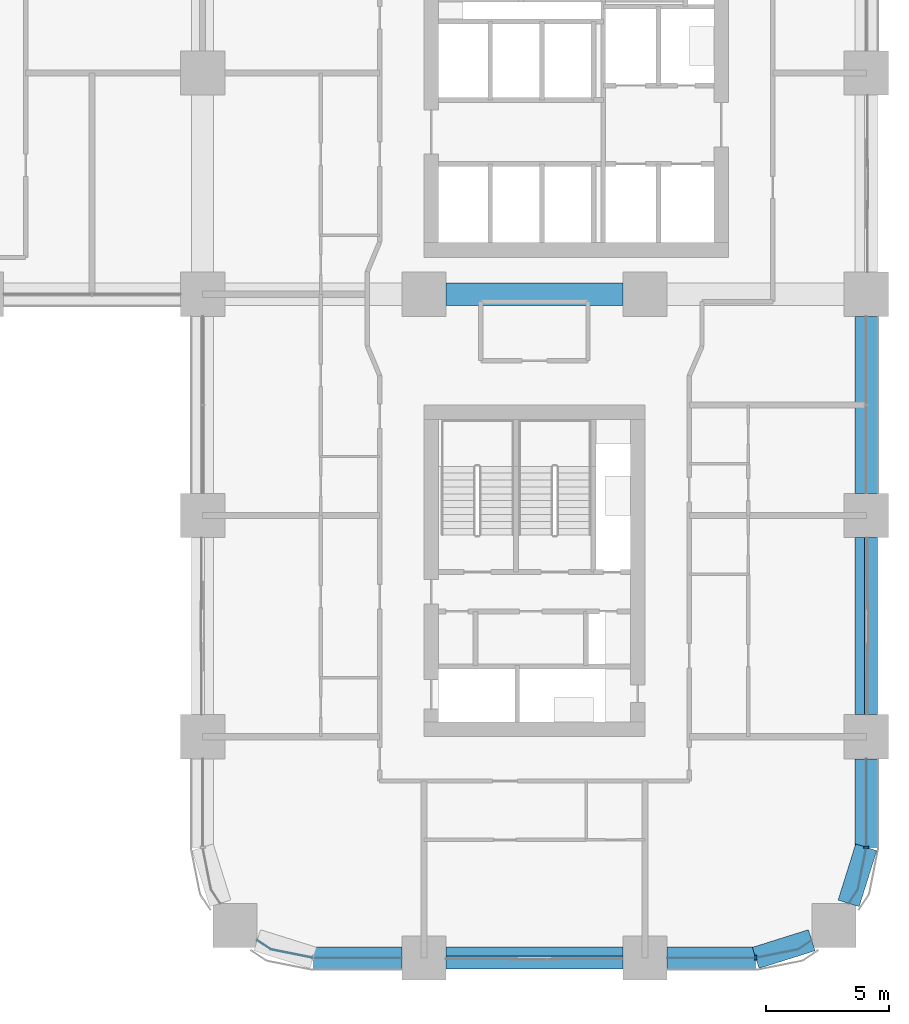
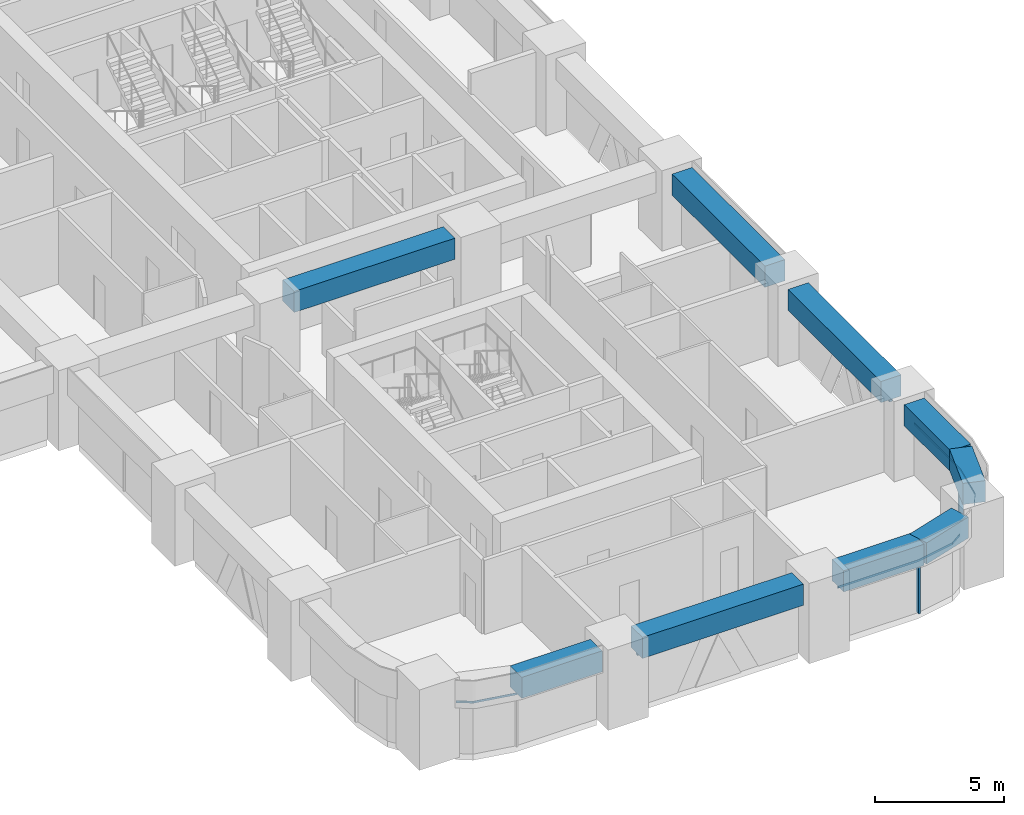
# One storey, part 4 of 26: 9 beams, 7 members, 5 elements without a shape of their own.
"""IFC4 building model written with IfcOpenShell, lengths in metres."""

from ifc_helpers import new_model, si_unit, direction, frame, origin, origin_2d, place, context, subcontext, project, spatial, polyline, rectangle, outline, extrude, material, material_profile, profile_set, type_object, element, aggregate, save


model = new_model("IFC4")

# Units and contexts
model_context = context("Model", 3, precision=1e-05, world=origin(), true_north=direction((0.0, 1.0)))
body_context = subcontext(model_context, "Body", "Model", "MODEL_VIEW")
ifc_project = project(units=[si_unit("LENGTHUNIT", "METRE"), si_unit("AREAUNIT", "SQUARE_METRE"), si_unit("VOLUMEUNIT", "CUBIC_METRE"), si_unit("PLANEANGLEUNIT", "RADIAN"), si_unit("MASSUNIT", "GRAM", prefix="KILO")], contexts=[model_context])

# Site, building, storey
site_placement = place(None, origin())
site = spatial("IfcSite", under=ifc_project, at=site_placement, CompositionType="ELEMENT")
building_placement = place(site_placement, origin())
building = spatial("IfcBuilding", under=site, at=building_placement, Name="Tessera Arch", CompositionType="ELEMENT")
storey_placement = place(building_placement, frame((0.0, 0.0, 96.800048828125)))
storey = spatial("IfcBuildingStorey", under=building, at=storey_placement, Name="L22", CompositionType="ELEMENT", Elevation=96.800048828125)

# Curtain wall, member
ifc_material_1 = material(Name="CW2 curtain wall")
curtain_wall_type_1 = type_object("IfcCurtainWallType", Name="CW2 curtain wall", PredefinedType="NOTDEFINED", material=ifc_material_1)
curtain_wall_1_placement = place(storey_placement, origin())
curtain_wall_1 = element("IfcCurtainWall", 1, at=curtain_wall_1_placement, inside=storey, type_object=curtain_wall_type_1, Name="CW2 curtain wall S0.27/2 L22", PredefinedType="NOTDEFINED")
ifc_material_2 = material(Name="Anodised aluminium pale metal", Category="aluminium")
ifc_material_profile_1 = material_profile(ifc_material_2, rectangle(XDim=0.199951171875, YDim=0.080078125, at=origin_2d()), Name="AL 80x200")
ifc_profile_set_1 = profile_set([ifc_material_profile_1], Name="Anodised aluminium pale metal")
member_type_1 = type_object("IfcMemberType", Name="CW2 mullion", PredefinedType="MULLION", material=ifc_profile_set_1)
member_1_placement = place(storey_placement, frame((49.5, 0.0, 0.0), z_axis=(0.0, 0.0, 1.0), x_axis=(0.0, 1.0, 0.0)))
member_1 = element("IfcMember", 2, at=member_1_placement, type_object=member_type_1, Name="CW2 mullion S0.27/2 1", PredefinedType="MULLION", context=body_context, shape_type="SweptSolid", body=[
    extrude(rectangle(XDim=0.199951171875, YDim=0.080078125, at=origin_2d()), origin(), (0.0, 0.0, 1.0), 2.39990234375),
])

curtain_wall_2_placement = place(storey_placement, origin())
curtain_wall_2 = element("IfcCurtainWall", 3, at=curtain_wall_2_placement, inside=storey, type_object=curtain_wall_type_1, Name="CW2 curtain wall E54.0/0 L22", PredefinedType="NOTDEFINED")
member_2_placement = place(storey_placement, frame((54.0, 4.5, 0.0), z_axis=(0.0, 0.0, 1.0), x_axis=(-1.0, 0.0, 0.0)))
member_2 = element("IfcMember", 4, at=member_2_placement, type_object=member_type_1, Name="CW2 mullion E54.0/0 1", PredefinedType="MULLION", context=body_context, shape_type="SweptSolid", body=[
    extrude(rectangle(XDim=0.199951171875, YDim=0.080078125, at=origin_2d()), origin(), (0.0, 0.0, 1.0), 2.39990234375),
])

curtain_wall_3_placement = place(storey_placement, origin())
curtain_wall_3 = element("IfcCurtainWall", 5, at=curtain_wall_3_placement, inside=storey, type_object=curtain_wall_type_1, Name="CW2 curtain wall S0.27/0 L22", PredefinedType="NOTDEFINED")
ifc_material_3 = material(Name="Anodised aluminium pale metal", Category="aluminium")
ifc_material_profile_2 = material_profile(ifc_material_3, rectangle(XDim=0.199951171875, YDim=0.10009765625, at=origin_2d()), Name="AL 200x100")
ifc_profile_set_2 = profile_set([ifc_material_profile_2], Name="Anodised aluminium pale metal")
member_type_2 = type_object("IfcMemberType", Name="CW2 transom", PredefinedType="USERDEFINED", material=ifc_profile_set_2)
member_3_placement = place(storey_placement, frame((0.0, 0.0, 2.39990234375)))
member_3 = element("IfcMember", 6, at=member_3_placement, type_object=member_type_2, Name="CW2 transom S0.27/0 1", ObjectType="TRANSOM", PredefinedType="USERDEFINED", context=body_context, shape_type="SweptSolid", body=[
    extrude(outline(polyline([(29.78173828125, 0.351806640625), (29.2236328125, 0.72509765625), (29.21240234375, 0.70849609375), (29.77392578125, 0.3330078125), (31.4990234375, -0.010009765625), (35.10009765625, -0.010009765625), (35.10009765625, 0.010009765625), (31.5009765625, 0.010009765625), (29.78173828125, 0.351806640625)])), origin(), (0.0, 0.0, 1.0), 0.10009765625),
])
aggregate(curtain_wall_3, [member_3])

# Member
member_4_placement = place(storey_placement, frame((0.0, 0.0, 2.39990234375)))
member_4 = element("IfcMember", 7, at=member_4_placement, type_object=member_type_2, Name="CW2 transom S0.27/2 1", ObjectType="TRANSOM", PredefinedType="USERDEFINED", context=body_context, shape_type="SweptSolid", body=[
    extrude(outline(polyline([(49.4990234375, 0.010009765625), (45.89990234375, 0.010009765625), (45.89990234375, -0.010009765625), (49.5009765625, -0.010009765625), (51.22607421875, 0.3330078125), (51.78759765625, 0.70849609375), (51.7763671875, 0.72509765625), (51.21826171875, 0.351806640625), (49.4990234375, 0.010009765625)])), origin(), (0.0, 0.0, 1.0), 0.10009765625),
])

aggregate(curtain_wall_1, [member_1, member_4])

member_5_placement = place(storey_placement, frame((0.0, 0.0, 2.39990234375)))
member_5 = element("IfcMember", 8, at=member_5_placement, type_object=member_type_2, Name="CW2 transom E54.0/0 1", ObjectType="TRANSOM", PredefinedType="USERDEFINED", context=body_context, shape_type="SweptSolid", body=[
    extrude(outline(polyline([(53.648193359375, 2.78173828125), (53.27490234375, 2.2236328125), (53.29150390625, 2.21240234375), (53.6669921875, 2.77392578125), (54.010009765625, 4.4990234375), (54.010009765625, 8.10009765625), (53.989990234375, 8.10009765625), (53.989990234375, 4.5009765625), (53.648193359375, 2.78173828125)])), origin(), (0.0, 0.0, 1.0), 0.10009765625),
])

aggregate(curtain_wall_2, [member_2, member_5])

# Curtain wall, member
ifc_material_4 = material(Name="CW3 curtain wall")
curtain_wall_type_2 = type_object("IfcCurtainWallType", Name="CW3 curtain wall", PredefinedType="NOTDEFINED", material=ifc_material_4)
curtain_wall_4_placement = place(storey_placement, origin())
curtain_wall_4 = element("IfcCurtainWall", 9, at=curtain_wall_4_placement, inside=storey, type_object=curtain_wall_type_2, Name="CW3 curtain wall S0.27/1 L22", PredefinedType="NOTDEFINED")
ifc_material_5 = material(Name="Anodised aluminium pale metal", Category="aluminium")
ifc_material_profile_3 = material_profile(ifc_material_5, rectangle(XDim=0.139892578125, YDim=0.10009765625, at=origin_2d()), Name="AL 140x100")
ifc_profile_set_3 = profile_set([ifc_material_profile_3], Name="Anodised aluminium pale metal")
member_type_3 = type_object("IfcMemberType", Name="CW3 transom", PredefinedType="USERDEFINED", material=ifc_profile_set_3)
member_6_placement = place(storey_placement, frame((36.89990234375, 0.0, 2.449951171875), z_axis=(1.0, 0.0, 0.0), x_axis=(0.0, 1.0, 0.0)))
member_6 = element("IfcMember", 10, at=member_6_placement, type_object=member_type_3, Name="CW3 transom S0.27/1 1.1", ObjectType="TRANSOM", PredefinedType="USERDEFINED", context=body_context, shape_type="SweptSolid", body=[
    extrude(rectangle(XDim=0.139892578125, YDim=0.10009765625, at=origin_2d()), origin(), (0.0, 0.0, 1.0), 7.2001953125),
])
aggregate(curtain_wall_4, [member_6])

curtain_wall_5_placement = place(storey_placement, origin())
curtain_wall_5 = element("IfcCurtainWall", 11, at=curtain_wall_5_placement, inside=storey, type_object=curtain_wall_type_2, Name="CW3 curtain wall E54.0/1 L22", PredefinedType="NOTDEFINED")
member_7_placement = place(storey_placement, frame((54.0, 9.89990234375, 2.449951171875), z_axis=(0.0, 1.0, 0.0), x_axis=(-1.0, 0.0, 0.0)))
member_7 = element("IfcMember", 12, at=member_7_placement, type_object=member_type_3, Name="CW3 transom E54.0/1 1.1", ObjectType="TRANSOM", PredefinedType="USERDEFINED", context=body_context, shape_type="SweptSolid", body=[
    extrude(rectangle(XDim=0.139892578125, YDim=0.10009765625, at=origin_2d()), origin(), (0.0, 0.0, 1.0), 7.2001953125),
])
aggregate(curtain_wall_5, [member_7])

# Beams
ifc_material_6 = material(Name="Concrete C80/95", Category="concrete")
ifc_material_profile_4 = material_profile(ifc_material_6, rectangle(XDim=0.89990234375, YDim=1.0, at=origin_2d()), Name="RC spandrel beam 900 x 1000 Concrete C80/95")
ifc_profile_set_4 = profile_set([ifc_material_profile_4], Name="Concrete C80/95")
beam_type = type_object("IfcBeamType", Name="RC spandrel beam 900 x 1000 Concrete C80/95", PredefinedType="BEAM", material=ifc_profile_set_4)
beam_1_placement = place(storey_placement, frame((31.5, 0.0, 3.0), z_axis=(1.0, 0.0, 0.0), x_axis=(0.0, 1.0, 0.0)))
element("IfcBeam", 13, at=beam_1_placement, inside=storey, type_object=beam_type, Name="Spandrel beam L22 S0.27/0.2", PredefinedType="BEAM", context=body_context, shape_type="SweptSolid", body=[
    extrude(rectangle(XDim=0.89990234375, YDim=1.0, at=origin_2d()), origin(), (0.0, 0.0, 1.0), 3.60009765625),
])
beam_2_placement = place(storey_placement, frame((36.89990234375, 0.0, 3.0), z_axis=(1.0, 0.0, 0.0), x_axis=(0.0, 1.0, 0.0)))
element("IfcBeam", 14, at=beam_2_placement, inside=storey, type_object=beam_type, Name="Spandrel beam L22 S0.27/1", PredefinedType="BEAM", context=body_context, shape_type="SweptSolid", body=[
    extrude(rectangle(XDim=0.89990234375, YDim=1.0, at=origin_2d()), origin(), (0.0, 0.0, 1.0), 7.2001953125),
])
beam_3_placement = place(storey_placement, frame((45.89990234375, 0.0, 3.0), z_axis=(1.0, 0.0, 0.0), x_axis=(0.0, 1.0, 0.0)))
element("IfcBeam", 15, at=beam_3_placement, inside=storey, type_object=beam_type, Name="Spandrel beam L22 S0.27/2.1", PredefinedType="BEAM", context=body_context, shape_type="SweptSolid", body=[
    extrude(rectangle(XDim=0.89990234375, YDim=1.0, at=origin_2d()), origin(), (0.0, 0.0, 1.0), 3.60009765625),
])
for number, where, z_axis, x_axis, name in (
    (16, (49.5, 0.0, 3.0), (0.954041251279, 0.299675309057, 0.0), (-0.299675309057, 0.954041251279, 0.0), "Spandrel beam L22 S0.27/2.2"),
    (17, (53.283203125, 2.218017578125, 3.0), (0.299675309057, 0.954041251279, 0.0), (-0.954041251279, 0.299675309057, 0.0), "Spandrel beam L22 E54.0/0.1"),
):
    element("IfcBeam", number, at=place(storey_placement, frame(where, z_axis=z_axis, x_axis=x_axis)), inside=storey, type_object=beam_type, Name=name, PredefinedType="BEAM", context=body_context, shape_type="SweptSolid", body=[
        extrude(rectangle(XDim=0.89990234375, YDim=1.0, at=origin_2d()), origin(), (0.0, 0.0, 1.0), 2.391845703125),
    ])
beam_4_placement = place(storey_placement, frame((54.0, 4.5, 3.0), z_axis=(0.0, 1.0, 0.0), x_axis=(-1.0, 0.0, 0.0)))
element("IfcBeam", 18, at=beam_4_placement, inside=storey, type_object=beam_type, Name="Spandrel beam L22 E54.0/0.2", PredefinedType="BEAM", context=body_context, shape_type="SweptSolid", body=[
    extrude(rectangle(XDim=0.89990234375, YDim=1.0, at=origin_2d()), origin(), (0.0, 0.0, 1.0), 3.60009765625),
])
for number, where, z_axis, x_axis, name in (
    (19, (54.0, 9.89990234375, 3.0), (0.0, 1.0, 0.0), (-1.0, 0.0, 0.0), "Spandrel beam L22 E54.0/1"),
    (20, (54.0, 18.89990234375, 3.0), (0.0, 1.0, 0.0), (-1.0, 0.0, 0.0), "Spandrel beam L22 E54.0/2"),
    (21, (36.89990234375, 27.0, 3.0), (1.0, 0.0, 0.0), (0.0, 1.0, 0.0), "Interface beam L22 I1C5D-C6D"),
):
    element("IfcBeam", number, at=place(storey_placement, frame(where, z_axis=z_axis, x_axis=x_axis)), inside=storey, type_object=beam_type, Name=name, PredefinedType="BEAM", context=body_context, shape_type="SweptSolid", body=[
        extrude(rectangle(XDim=0.89990234375, YDim=1.0, at=origin_2d()), origin(), (0.0, 0.0, 1.0), 7.2001953125),
    ])

save(model, "model.ifc")
